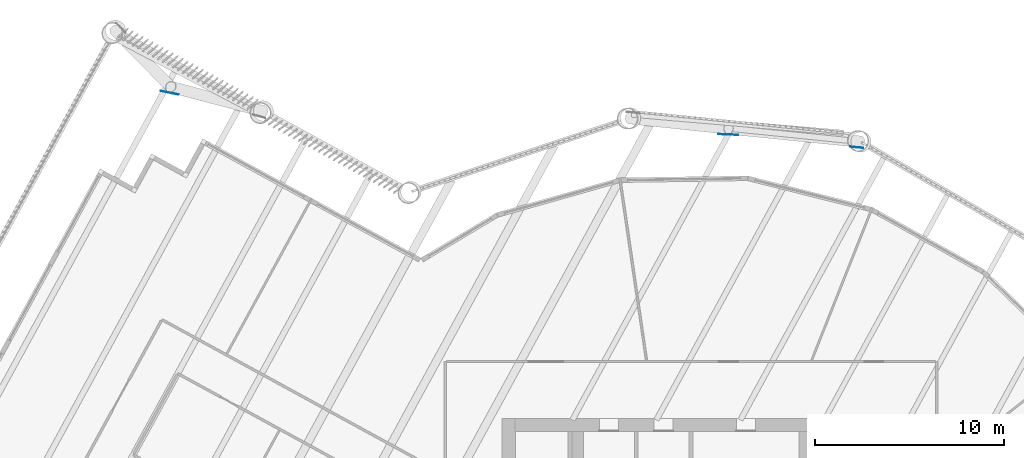
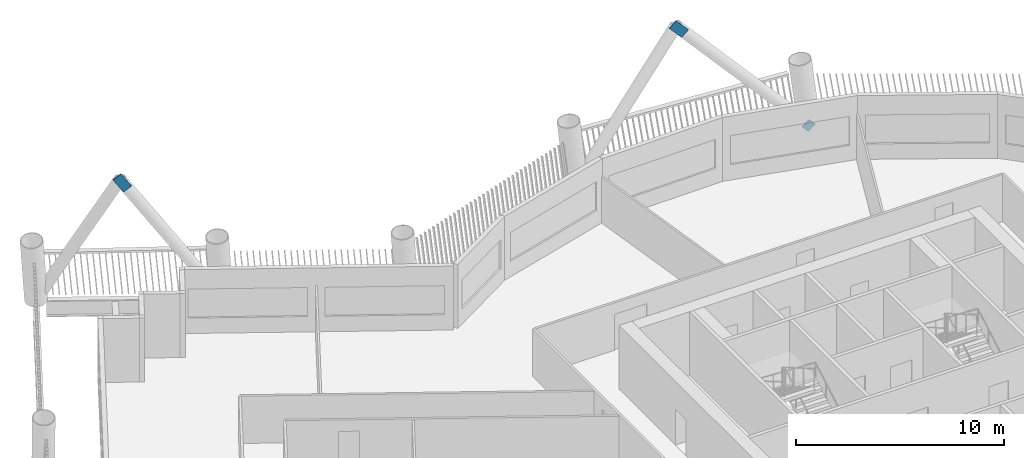
# One storey, part 11 of 24: 3 discrete accessories.
"""IFC4 building model written with IfcOpenShell, lengths in metres."""

from ifc_helpers import new_model, si_unit, direction, frame, origin, origin_2d, place, context, subcontext, project, spatial, rectangle, extrude, material, material_profile, profile_set, type_object, element, save


model = new_model("IFC4")

# Units and contexts
model_context = context("Model", 3, precision=1e-05, world=origin(), true_north=direction((0.0, 1.0)))
body_context = subcontext(model_context, "Body", "Model", "MODEL_VIEW")
ifc_project = project(units=[si_unit("LENGTHUNIT", "METRE"), si_unit("AREAUNIT", "SQUARE_METRE"), si_unit("VOLUMEUNIT", "CUBIC_METRE"), si_unit("PLANEANGLEUNIT", "RADIAN"), si_unit("MASSUNIT", "GRAM", prefix="KILO")], contexts=[model_context])

# Site, building, storey
site_placement = place(None, origin())
site = spatial("IfcSite", under=ifc_project, at=site_placement, CompositionType="ELEMENT")
building_placement = place(site_placement, origin())
building = spatial("IfcBuilding", under=site, at=building_placement, Name="Tarsis Ring Headquarters", CompositionType="ELEMENT")
storey_placement = place(building_placement, frame((0.0, 0.0, 163.199951171875)))
storey = spatial("IfcBuildingStorey", under=building, at=storey_placement, Name="L37", CompositionType="ELEMENT", Elevation=163.199951171875)

# Discrete accessories
ifc_material = material(Name="Structural steel S355", Category="steel")
ifc_material_profile = material_profile(ifc_material, rectangle(XDim=0.02490234375, YDim=0.5, at=origin_2d()), Name="PL 25x500")
ifc_profile_set = profile_set([ifc_material_profile], Name="Structural steel S355")
discrete_accessory_type = type_object("IfcDiscreteAccessoryType", Name="Gusset plate Exo brace 25", PredefinedType="BRACKET", material=ifc_profile_set)
discrete_accessory_1_placement = place(storey_placement, frame((8.932861328125, 27.31494140625, 0.0), z_axis=(-0.665136993487, 0.066416028718, 0.743761851014), x_axis=(-0.099359048417, -0.995051646648, 0.0)))
element("IfcDiscreteAccessory", 1, at=discrete_accessory_1_placement, inside=storey, type_object=discrete_accessory_type, Name="Gusset plate GP5", PredefinedType="BRACKET", context=body_context, shape_type="SweptSolid", body=[
    extrude(rectangle(XDim=0.02490234375, YDim=0.5, at=origin_2d()), origin(), (0.0, 0.0, 1.0), 0.5),
])
discrete_accessory_2_placement = place(storey_placement, frame((2.303955078125, 27.99560546875, 7.42822265625), z_axis=(-0.668125484019, 0.027096064569, 0.743555069171), x_axis=(-0.040522042223, -0.999178644735, 0.0)))
element("IfcDiscreteAccessory", 2, at=discrete_accessory_2_placement, inside=storey, type_object=discrete_accessory_type, Name="Gusset plate GP5", PredefinedType="BRACKET", context=body_context, shape_type="SweptSolid", body=[
    extrude(rectangle(XDim=0.02490234375, YDim=0.5, at=origin_2d()), origin(), (0.0, 0.0, 1.0), 1.000244140625),
])
discrete_accessory_3_placement = place(storey_placement, frame((-27.320068359375, 30.164794921875, 7.381103515625), z_axis=(-0.534955906392, 0.107918991614, 0.837959228999), x_axis=(-0.197750591659, -0.98025236725, 0.0)))
element("IfcDiscreteAccessory", 3, at=discrete_accessory_3_placement, inside=storey, type_object=discrete_accessory_type, Name="Gusset plate GP5", PredefinedType="BRACKET", context=body_context, shape_type="SweptSolid", body=[
    extrude(rectangle(XDim=0.02490234375, YDim=0.5, at=origin_2d()), origin(), (0.0, 0.0, 1.0), 1.0),
])

save(model, "model.ifc")
